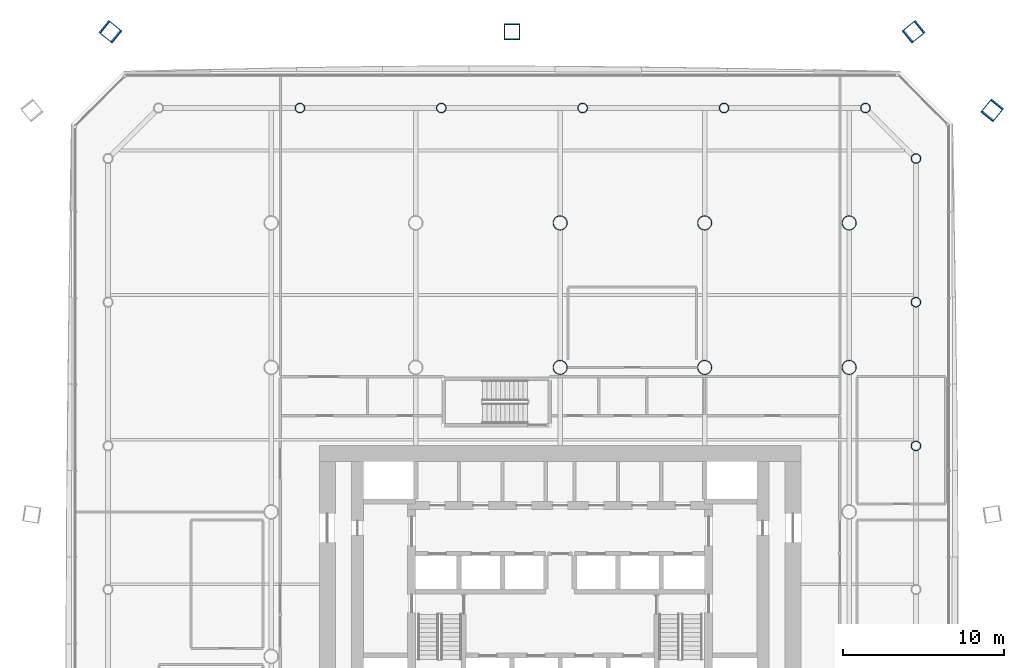
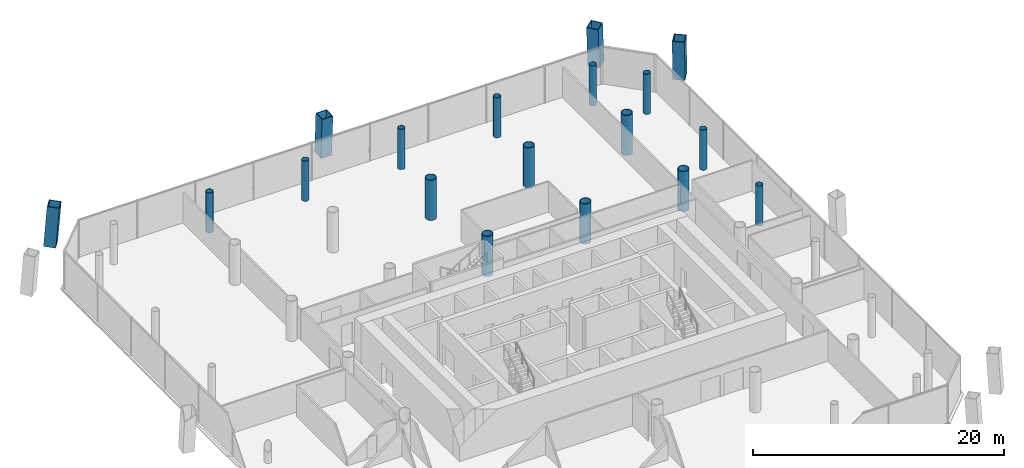
# One storey, part 2 of 22: 18 columns.
"""IFC4 building model written with IfcOpenShell, lengths in metres."""

from ifc_helpers import new_model, si_unit, direction, frame, origin, origin_2d, place, context, subcontext, project, spatial, hollow_rectangle, hollow_circle, extrude, material, material_profile, profile_set, type_object, element, save


model = new_model("IFC4")

# Units and contexts
model_context = context("Model", 3, precision=1e-05, world=origin(), true_north=direction((0.0, 1.0)))
body_context = subcontext(model_context, "Body", "Model", "MODEL_VIEW")
ifc_project = project(units=[si_unit("LENGTHUNIT", "METRE"), si_unit("AREAUNIT", "SQUARE_METRE"), si_unit("VOLUMEUNIT", "CUBIC_METRE"), si_unit("PLANEANGLEUNIT", "RADIAN"), si_unit("MASSUNIT", "GRAM", prefix="KILO")], contexts=[model_context])

# Site, building, storey
site_placement = place(None, origin())
site = spatial("IfcSite", under=ifc_project, at=site_placement, CompositionType="ELEMENT")
building_placement = place(site_placement, origin())
building = spatial("IfcBuilding", under=site, at=building_placement, Name="Tskaro Facet Tower", CompositionType="ELEMENT")
storey_placement = place(building_placement, frame((0.0, 0.0, 30.300048828125)))
storey = spatial("IfcBuildingStorey", under=building, at=storey_placement, Name="L06", CompositionType="ELEMENT", Elevation=30.300048828125)

# Columns
ifc_material_1 = material(Name="Steel S460M", Category="steel")
ifc_material_profile_1 = material_profile(ifc_material_1, hollow_rectangle(XDim=1.0, YDim=1.0, WallThickness=0.06005859375, at=origin_2d()), Name="BOX 1000x1000x60")
ifc_profile_set_1 = profile_set([ifc_material_profile_1], Name="Steel S460M")
column_type_1 = type_object("IfcColumnType", Name="BOX 1000x1000x60 mega column", PredefinedType="COLUMN", material=ifc_profile_set_1)
for number, where, z_axis, x_axis, name in (
    (1, (26.93701171875, 25.048095703125, 0.0), (-0.046821200064, -0.057808575012, 0.997229133088), (0.777088504756, -0.629391337545, 0.0), "BOX 1000x1000x60 MC06/1"),
    (2, (22.048095703125, 29.93701171875, 0.0), (-0.057808575012, -0.046821200064, 0.997229133088), (0.629391337545, -0.777088504756, 0.0), "BOX 1000x1000x60 MC07/1"),
):
    element("IfcColumn", number, at=place(storey_placement, frame(where, z_axis=z_axis, x_axis=x_axis)), inside=storey, type_object=column_type_1, Name=name, PredefinedType="COLUMN", context=body_context, shape_type="SweptSolid", body=[
        extrude(hollow_rectangle(XDim=1.0, YDim=1.0, WallThickness=0.06005859375, at=origin_2d()), origin(), (0.0, 0.0, 1.0), 3.91064453125),
    ])
column_1_placement = place(storey_placement, frame((-3.0, 29.93701171875, 0.0), z_axis=(0.0, -0.046899630973, 0.998899606875), x_axis=(1.0, 0.0, 0.0)))
element("IfcColumn", 3, at=column_1_placement, inside=storey, type_object=column_type_1, Name="BOX 1000x1000x60 MC08/1", PredefinedType="COLUMN", context=body_context, shape_type="SweptSolid", body=[
    extrude(hollow_rectangle(XDim=1.0, YDim=1.0, WallThickness=0.06005859375, at=origin_2d()), origin(), (0.0, 0.0, 1.0), 3.904296875),
])
column_2_placement = place(storey_placement, frame((-28.048095703125, 29.93701171875, 0.0), z_axis=(0.057808575012, -0.046821200064, 0.997229133088), x_axis=(0.629391337545, 0.777088504756, 0.0)))
element("IfcColumn", 4, at=column_2_placement, inside=storey, type_object=column_type_1, Name="BOX 1000x1000x60 MC09/1", PredefinedType="COLUMN", context=body_context, shape_type="SweptSolid", body=[
    extrude(hollow_rectangle(XDim=1.0, YDim=1.0, WallThickness=0.06005859375, at=origin_2d()), origin(), (0.0, 0.0, 1.0), 3.91064453125),
])
ifc_material_2 = material(Name="Steel S355J2H", Category="steel")
ifc_material_profile_2 = material_profile(ifc_material_2, hollow_circle(Radius=0.304931640625, WallThickness=0.030029296875, at=origin_2d()), Name="CHS 610x30")
ifc_profile_set_2 = profile_set([ifc_material_profile_2], Name="Steel S355J2H")
column_type_2 = type_object("IfcColumnType", Name="CHS 610x30 ring column", PredefinedType="COLUMN", material=ifc_profile_set_2)
for number, where, z_axis, x_axis, name in (
    (5, (22.156982421875, 4.115966796875, 0.0), (0.0, 0.0, 1.0), (1.0, 0.0, 0.0), "CHS 610x30 RE-4/1"),
    (6, (22.156982421875, 13.06396484375, 0.0), (0.0, 0.0, 1.0), (1.0, 0.0, 0.0), "CHS 610x30 RE-5/1"),
    (7, (22.156982421875, 22.011962890625, 0.0), (0.0, 0.0, 1.0), (1.0, 0.0, 0.0), "CHS 610x30 RNE-1/1"),
    (8, (19.011962890625, 25.156982421875, 0.0), (0.0, 0.0, 1.0), (1.0, 0.0, 0.0), "CHS 610x30 RN-1/1"),
    (9, (10.20703125, 25.156982421875, 0.0), (0.0, 0.0, 1.0), (1.0, 0.0, 0.0), "CHS 610x30 RN-2/1"),
    (10, (1.402099609375, 25.156982421875, 0.0), (0.0, 0.0, 1.0), (1.0, 0.0, 0.0), "CHS 610x30 RN-3/1"),
    (11, (-7.402099609375, 25.156982421875, 0.0), (0.0, 0.0, 1.0), (1.0, 0.0, 0.0), "CHS 610x30 RN-4/1"),
    (12, (-16.20703125, 25.156982421875, 0.0), (0.0, 0.0, 1.0), (1.0, 0.0, 0.0), "CHS 610x30 RN-5/1"),
):
    element("IfcColumn", number, at=place(storey_placement, frame(where, z_axis=z_axis, x_axis=x_axis)), inside=storey, type_object=column_type_2, Name=name, PredefinedType="COLUMN", context=body_context, shape_type="SweptSolid", body=[
        extrude(hollow_circle(Radius=0.304931640625, WallThickness=0.030029296875, at=origin_2d()), origin(), (0.0, 0.0, 1.0), 3.89990234375),
    ])
ifc_material_profile_3 = material_profile(ifc_material_2, hollow_circle(Radius=0.457275390625, WallThickness=0.050048828125, at=origin_2d()), Name="CHS 914.4x50")
ifc_profile_set_3 = profile_set([ifc_material_profile_3], Name="Steel S355J2H")
column_type_3 = type_object("IfcColumnType", Name="CHS 914.4x50 interior column", PredefinedType="COLUMN", material=ifc_profile_set_3)
for number, where, z_axis, x_axis, name in (
    (13, (0.0, 9.0, 0.0), (0.0, 0.0, 1.0), (1.0, 0.0, 0.0), "CHS 914.4x50 C4E/1"),
    (14, (0.0, 18.0, 0.0), (0.0, 0.0, 1.0), (1.0, 0.0, 0.0), "CHS 914.4x50 C4F/1"),
    (15, (9.0, 9.0, 0.0), (0.0, 0.0, 1.0), (1.0, 0.0, 0.0), "CHS 914.4x50 C5E/1"),
    (16, (9.0, 18.0, 0.0), (0.0, 0.0, 1.0), (1.0, 0.0, 0.0), "CHS 914.4x50 C5F/1"),
    (17, (18.0, 9.0, 0.0), (0.0, 0.0, 1.0), (1.0, 0.0, 0.0), "CHS 914.4x50 C6E/1"),
    (18, (18.0, 18.0, 0.0), (0.0, 0.0, 1.0), (1.0, 0.0, 0.0), "CHS 914.4x50 C6F/1"),
):
    element("IfcColumn", number, at=place(storey_placement, frame(where, z_axis=z_axis, x_axis=x_axis)), inside=storey, type_object=column_type_3, Name=name, PredefinedType="COLUMN", context=body_context, shape_type="SweptSolid", body=[
        extrude(hollow_circle(Radius=0.457275390625, WallThickness=0.050048828125, at=origin_2d()), origin(), (0.0, 0.0, 1.0), 3.89990234375),
    ])

save(model, "model.ifc")
